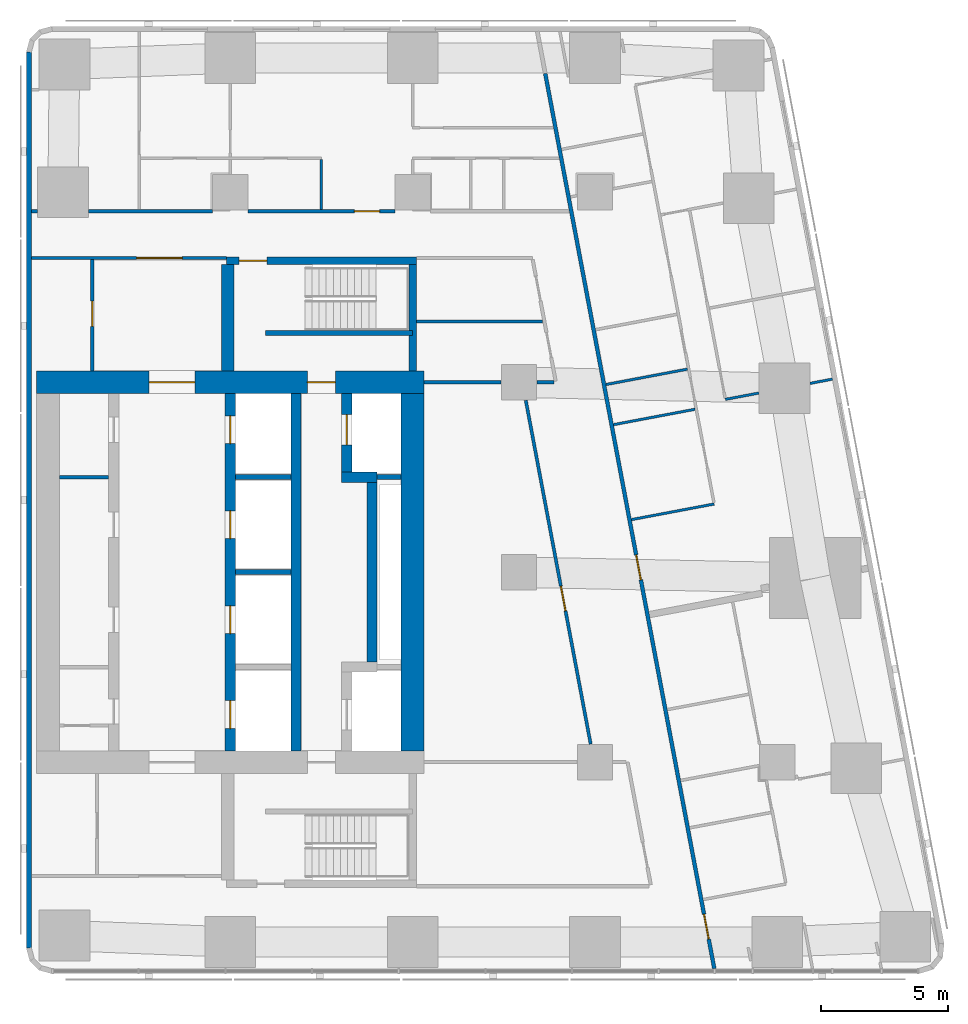
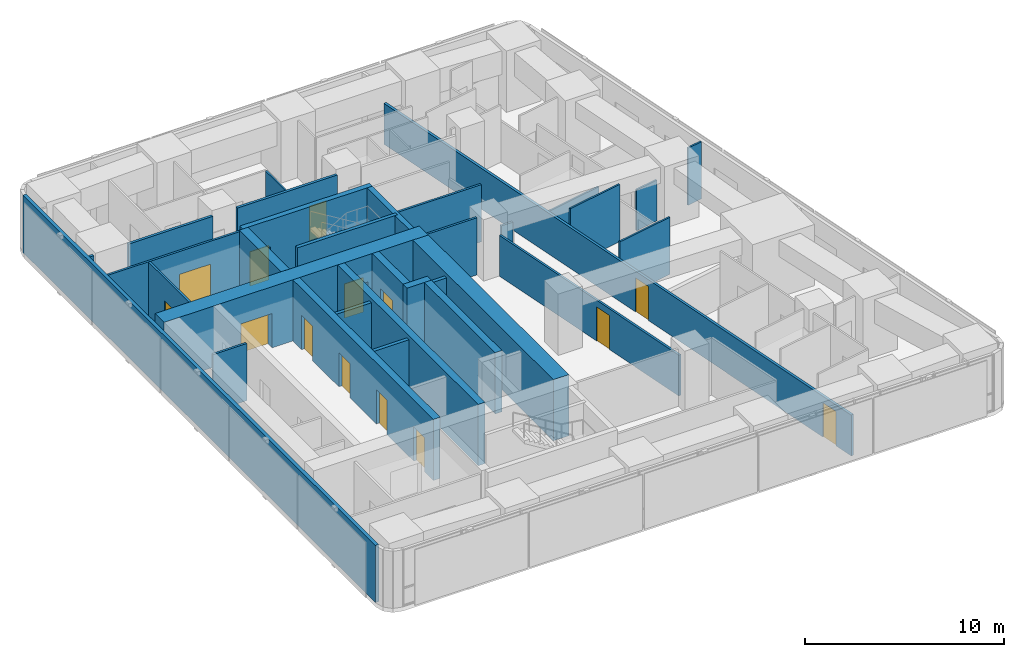
# One storey, part 6 of 10: 32 walls, 14 doors, 14 openings.
"""IFC4 building model written with IfcOpenShell, lengths in metres."""

from ifc_helpers import new_model, si_unit, direction, frame, frame_2d, origin, place, context, subcontext, project, spatial, rectangle, extrude, material, layer, layer_set, type_object, element, fill, save


model = new_model("IFC4")

# Units and contexts
model_context = context("Model", 3, precision=1e-05, world=origin(), true_north=direction((0.0, 1.0)))
body_context = subcontext(model_context, "Body", "Model", "MODEL_VIEW")
ifc_project = project(units=[si_unit("LENGTHUNIT", "METRE"), si_unit("AREAUNIT", "SQUARE_METRE"), si_unit("VOLUMEUNIT", "CUBIC_METRE"), si_unit("PLANEANGLEUNIT", "RADIAN"), si_unit("MASSUNIT", "GRAM", prefix="KILO")], contexts=[model_context])

# Site, building, storey
site_placement = place(None, origin())
site = spatial("IfcSite", under=ifc_project, at=site_placement, CompositionType="ELEMENT")
building_placement = place(site_placement, origin())
building = spatial("IfcBuilding", under=site, at=building_placement, Name="Sheger Commons Tower", CompositionType="ELEMENT")
storey_placement = place(building_placement, frame((0.0, 0.0, 285.35009765625)))
storey = spatial("IfcBuildingStorey", under=building, at=storey_placement, Name="L73", CompositionType="ELEMENT", Elevation=285.35009765625)

# Wall, openings, doors
ifc_material_1 = material(Name="Concrete C50/60", Category="concrete")
ifc_layer_1 = layer(ifc_material_1, 0.39990234375)
ifc_layer_set_1 = layer_set([ifc_layer_1], Name="CORE INNER WALL 400")
wall_type_1 = type_object("IfcWallType", Name="CORE INNER WALL 400", PredefinedType="SHEAR", material=ifc_layer_set_1)
wall_1_placement = place(storey_placement, frame((21.60009765625, 15.449951171875, 0.0), z_axis=(0.0, 0.0, 1.0), x_axis=(0.0, 1.0, 0.0)))
wall_1 = element("IfcWall", 1, at=wall_1_placement, inside=storey, type_object=wall_type_1, Name="Core inner wall L L73", PredefinedType="SHEAR", context=body_context, shape_type="SweptSolid", body=[
    extrude(rectangle(XDim=14.10009765625, YDim=0.39990234375, at=frame_2d((7.050048828125, 0.0))), origin(), (0.0, 0.0, 1.0), 3.75),
])
opening_1_placement = place(wall_1_placement, frame((0.875, 0.0, 0.0)))
opening_1 = element("IfcOpeningElement", 2, at=opening_1_placement, cuts=wall_1, Name="Opening LD", PredefinedType="OPENING", context=body_context, shape_type="SweptSolid", body=[
    extrude(rectangle(XDim=1.10009765625, YDim=2.10009765625, at=frame_2d((0.550048828125, 1.050048828125))), frame((0.0, 0.2099609375, 0.0), z_axis=(0.0, -1.0, 0.0), x_axis=(1.0, 0.0, 0.0)), (0.0, 0.0, 1.0), 0.419921875),
])
opening_2_placement = place(wall_1_placement, frame((4.625, 0.0, 0.0)))
opening_2 = element("IfcOpeningElement", 3, at=opening_2_placement, cuts=wall_1, Name="Opening LD", PredefinedType="OPENING", context=body_context, shape_type="SweptSolid", body=[
    extrude(rectangle(XDim=1.10009765625, YDim=2.10009765625, at=frame_2d((0.550048828125, 1.050048828125))), frame((0.0, 0.2099609375, 0.0), z_axis=(0.0, -1.0, 0.0), x_axis=(1.0, 0.0, 0.0)), (0.0, 0.0, 1.0), 0.419921875),
])
opening_3_placement = place(wall_1_placement, frame((8.375, 0.0, 0.0)))
opening_3 = element("IfcOpeningElement", 4, at=opening_3_placement, cuts=wall_1, Name="Opening LD", PredefinedType="OPENING", context=body_context, shape_type="SweptSolid", body=[
    extrude(rectangle(XDim=1.10009765625, YDim=2.10009765625, at=frame_2d((0.550048828125, 1.050048828125))), frame((0.0, 0.2099609375, 0.0), z_axis=(0.0, -1.0, 0.0), x_axis=(1.0, 0.0, 0.0)), (0.0, 0.0, 1.0), 0.419921875),
])
opening_4_placement = place(wall_1_placement, frame((12.125, 0.0, 0.0)))
opening_4 = element("IfcOpeningElement", 5, at=opening_4_placement, cuts=wall_1, Name="Opening LD", PredefinedType="OPENING", context=body_context, shape_type="SweptSolid", body=[
    extrude(rectangle(XDim=1.10009765625, YDim=2.10009765625, at=frame_2d((0.550048828125, 1.050048828125))), frame((0.0, 0.2099609375, 0.0), z_axis=(0.0, -1.0, 0.0), x_axis=(1.0, 0.0, 0.0)), (0.0, 0.0, 1.0), 0.419921875),
])
ifc_material_2 = material(Name="Steel door set, fire rated", Category="steel")
door_type_1 = type_object("IfcDoorType", Name="LIFT LANDING DOOR 1100x2100", OperationType="DOUBLE_DOOR_SLIDING", PredefinedType="DOOR", material=ifc_material_2)
door_1_placement = place(opening_1_placement, origin())
door_1 = element("IfcDoor", 6, at=door_1_placement, inside=storey, type_object=door_type_1, Name="Lift LB1 landing door", OperationType="DOUBLE_DOOR_SLIDING", OverallHeight=2.10009765625, OverallWidth=1.10009765625, PredefinedType="DOOR", context=body_context, shape_type="SweptSolid", body=[
    extrude(rectangle(XDim=1.10009765625, YDim=2.10009765625, at=frame_2d((0.550048828125, 1.050048828125))), frame((0.0, 0.02490234375, 0.0), z_axis=(0.0, -1.0, 0.0), x_axis=(1.0, 0.0, 0.0)), (0.0, 0.0, 1.0), 0.050048828125),
])
fill(opening_1, door_1)
door_2_placement = place(opening_2_placement, origin())
door_2 = element("IfcDoor", 7, at=door_2_placement, inside=storey, type_object=door_type_1, Name="Lift LB2 landing door", OperationType="DOUBLE_DOOR_SLIDING", OverallHeight=2.10009765625, OverallWidth=1.10009765625, PredefinedType="DOOR", context=body_context, shape_type="SweptSolid", body=[
    extrude(rectangle(XDim=1.10009765625, YDim=2.10009765625, at=frame_2d((0.550048828125, 1.050048828125))), frame((0.0, 0.02490234375, 0.0), z_axis=(0.0, -1.0, 0.0), x_axis=(1.0, 0.0, 0.0)), (0.0, 0.0, 1.0), 0.050048828125),
])
fill(opening_2, door_2)
door_3_placement = place(opening_3_placement, origin())
door_3 = element("IfcDoor", 8, at=door_3_placement, inside=storey, type_object=door_type_1, Name="Lift LB3 landing door", OperationType="DOUBLE_DOOR_SLIDING", OverallHeight=2.10009765625, OverallWidth=1.10009765625, PredefinedType="DOOR", context=body_context, shape_type="SweptSolid", body=[
    extrude(rectangle(XDim=1.10009765625, YDim=2.10009765625, at=frame_2d((0.550048828125, 1.050048828125))), frame((0.0, 0.02490234375, 0.0), z_axis=(0.0, -1.0, 0.0), x_axis=(1.0, 0.0, 0.0)), (0.0, 0.0, 1.0), 0.050048828125),
])
fill(opening_3, door_3)
door_4_placement = place(opening_4_placement, origin())
door_4 = element("IfcDoor", 9, at=door_4_placement, inside=storey, type_object=door_type_1, Name="Lift LB4 landing door", OperationType="DOUBLE_DOOR_SLIDING", OverallHeight=2.10009765625, OverallWidth=1.10009765625, PredefinedType="DOOR", context=body_context, shape_type="SweptSolid", body=[
    extrude(rectangle(XDim=1.10009765625, YDim=2.10009765625, at=frame_2d((0.550048828125, 1.050048828125))), frame((0.0, 0.02490234375, 0.0), z_axis=(0.0, -1.0, 0.0), x_axis=(1.0, 0.0, 0.0)), (0.0, 0.0, 1.0), 0.050048828125),
])
fill(opening_4, door_4)

# Walls
wall_2_placement = place(storey_placement, frame((24.199951171875, 15.449951171875, 0.0), z_axis=(0.0, 0.0, 1.0), x_axis=(0.0, 1.0, 0.0)))
element("IfcWall", 10, at=wall_2_placement, inside=storey, type_object=wall_type_1, Name="Core inner wall B L73", PredefinedType="SHEAR", context=body_context, shape_type="SweptSolid", body=[
    extrude(rectangle(XDim=14.10009765625, YDim=0.39990234375, at=frame_2d((7.050048828125, 0.0))), origin(), (0.0, 0.0, 1.0), 3.75),
])
wall_3_placement = place(storey_placement, frame((27.199951171875, 18.949951171875, 0.0), z_axis=(0.0, 0.0, 1.0), x_axis=(0.0, 1.0, 0.0)))
element("IfcWall", 11, at=wall_3_placement, inside=storey, type_object=wall_type_1, Name="Core inner wall F middle L73", PredefinedType="SHEAR", context=body_context, shape_type="SweptSolid", body=[
    extrude(rectangle(XDim=7.10009765625, YDim=0.39990234375, at=frame_2d((3.550048828125, 0.0))), origin(), (0.0, 0.0, 1.0), 3.75),
])
wall_4_placement = place(storey_placement, frame((26.0, 26.25, 0.0), z_axis=(0.0, 0.0, 1.0), x_axis=(1.0, 0.0, 0.0)))
element("IfcWall", 12, at=wall_4_placement, inside=storey, type_object=wall_type_1, Name="Core inner wall F north return L73", PredefinedType="SHEAR", context=body_context, shape_type="SweptSolid", body=[
    extrude(rectangle(XDim=1.39990234375, YDim=0.39990234375, at=frame_2d((0.699951171875, 0.0))), origin(), (0.0, 0.0, 1.0), 3.75),
])

# Wall, opening, door
wall_5_placement = place(storey_placement, frame((26.199951171875, 26.449951171875, 0.0), z_axis=(0.0, 0.0, 1.0), x_axis=(0.0, 1.0, 0.0)))
wall_5 = element("IfcWall", 13, at=wall_5_placement, inside=storey, type_object=wall_type_1, Name="Core inner wall F north L73", PredefinedType="SHEAR", context=body_context, shape_type="SweptSolid", body=[
    extrude(rectangle(XDim=3.10009765625, YDim=0.39990234375, at=frame_2d((1.550048828125, 0.0))), origin(), (0.0, 0.0, 1.0), 3.75),
])
opening_5_placement = place(wall_5_placement, frame((1.074951171875, 0.0, 0.0)))
opening_5 = element("IfcOpeningElement", 14, at=opening_5_placement, cuts=wall_5, Name="Opening LD2", PredefinedType="OPENING", context=body_context, shape_type="SweptSolid", body=[
    extrude(rectangle(XDim=1.199951171875, YDim=2.10009765625, at=frame_2d((0.60009765625, 1.050048828125))), frame((0.0, 0.2099609375, 0.0), z_axis=(0.0, -1.0, 0.0), x_axis=(1.0, 0.0, 0.0)), (0.0, 0.0, 1.0), 0.419921875),
])
ifc_material_3 = material(Name="Steel door set, fire rated", Category="steel")
door_type_2 = type_object("IfcDoorType", Name="FIREFIGHTING LIFT LANDING DOOR 1200x2100", OperationType="DOUBLE_DOOR_SLIDING", PredefinedType="DOOR", material=ifc_material_3)
door_5_placement = place(opening_5_placement, origin())
door_5 = element("IfcDoor", 15, at=door_5_placement, inside=storey, type_object=door_type_2, Name="Lift FL2 landing door", OperationType="DOUBLE_DOOR_SLIDING", OverallHeight=2.10009765625, OverallWidth=1.199951171875, PredefinedType="DOOR", context=body_context, shape_type="SweptSolid", body=[
    extrude(rectangle(XDim=1.199951171875, YDim=2.10009765625, at=frame_2d((0.60009765625, 1.050048828125))), frame((0.0, 0.02490234375, 0.0), z_axis=(0.0, -1.0, 0.0), x_axis=(1.0, 0.0, 0.0)), (0.0, 0.0, 1.0), 0.050048828125),
])
fill(opening_5, door_5)

# Wall, openings, doors
ifc_material_4 = material(Name="Concrete C50/60", Category="concrete")
ifc_layer_2 = layer(ifc_material_4, 0.89990234375)
ifc_layer_set_2 = layer_set([ifc_layer_2], Name="CORE WALL 900")
wall_type_2 = type_object("IfcWallType", Name="CORE WALL 900", PredefinedType="SHEAR", material=ifc_layer_set_2)
wall_6_placement = place(storey_placement, frame((13.949951171875, 30.0, 0.0), z_axis=(0.0, 0.0, 1.0), x_axis=(1.0, 0.0, 0.0)))
wall_6 = element("IfcWall", 16, at=wall_6_placement, inside=storey, type_object=wall_type_2, Name="Core wall north L73", PredefinedType="SHEAR", context=body_context, shape_type="SweptSolid", body=[
    extrude(rectangle(XDim=15.300048828125, YDim=0.89990234375, at=frame_2d((7.64990234375, 0.0))), origin(), (0.0, 0.0, 1.0), 3.75),
])
opening_6_placement = place(wall_6_placement, frame((4.449951171875, 0.0, 0.0)))
opening_6 = element("IfcOpeningElement", 17, at=opening_6_placement, cuts=wall_6, Name="Opening D6", PredefinedType="OPENING", context=body_context, shape_type="SweptSolid", body=[
    extrude(rectangle(XDim=1.800048828125, YDim=2.10009765625, at=frame_2d((0.89990234375, 1.050048828125))), frame((0.0, 0.4599609375, 0.0), z_axis=(0.0, -1.0, 0.0), x_axis=(1.0, 0.0, 0.0)), (0.0, 0.0, 1.0), 0.919921875),
])
opening_7_placement = place(wall_6_placement, frame((10.699951171875, 0.0, 0.0)))
opening_7 = element("IfcOpeningElement", 18, at=opening_7_placement, cuts=wall_6, Name="Opening D5", PredefinedType="OPENING", context=body_context, shape_type="SweptSolid", body=[
    extrude(rectangle(XDim=1.10009765625, YDim=2.10009765625, at=frame_2d((0.550048828125, 1.050048828125))), frame((0.0, 0.4599609375, 0.0), z_axis=(0.0, -1.0, 0.0), x_axis=(1.0, 0.0, 0.0)), (0.0, 0.0, 1.0), 0.919921875),
])
ifc_material_5 = material(Name="Steel door set, fire rated", Category="steel")
door_type_3 = type_object("IfcDoorType", Name="LOBBY DOUBLE DOOR 1800x2100", OperationType="DOUBLE_DOOR_SINGLE_SWING", PredefinedType="DOOR", material=ifc_material_5)
door_6_placement = place(opening_6_placement, origin())
door_6 = element("IfcDoor", 19, at=door_6_placement, inside=storey, type_object=door_type_3, Name="Lift lobby door", OperationType="DOUBLE_DOOR_SINGLE_SWING", OverallHeight=2.10009765625, OverallWidth=1.800048828125, PredefinedType="DOOR", context=body_context, shape_type="SweptSolid", body=[
    extrude(rectangle(XDim=1.800048828125, YDim=2.10009765625, at=frame_2d((0.89990234375, 1.050048828125))), frame((0.0, 0.02490234375, 0.0), z_axis=(0.0, -1.0, 0.0), x_axis=(1.0, 0.0, 0.0)), (0.0, 0.0, 1.0), 0.050048828125),
])
fill(opening_6, door_6)
ifc_material_6 = material(Name="Steel door set, fire rated", Category="steel")
door_type_4 = type_object("IfcDoorType", Name="STAIR DOOR 1100x2100", OperationType="NOTDEFINED", PredefinedType="DOOR", material=ifc_material_6)
door_7_placement = place(opening_7_placement, origin())
door_7 = element("IfcDoor", 20, at=door_7_placement, inside=storey, type_object=door_type_4, Name="Fire-fighting lobby door", OperationType="SINGLE_SWING_RIGHT", OverallHeight=2.10009765625, OverallWidth=1.10009765625, PredefinedType="DOOR", context=body_context, shape_type="SweptSolid", body=[
    extrude(rectangle(XDim=1.10009765625, YDim=2.10009765625, at=frame_2d((0.550048828125, 1.050048828125))), frame((0.0, 0.02490234375, 0.0), z_axis=(0.0, -1.0, 0.0), x_axis=(1.0, 0.0, 0.0)), (0.0, 0.0, 1.0), 0.050048828125),
])
fill(opening_7, door_7)

# Walls
wall_7_placement = place(storey_placement, frame((28.800048828125, 15.449951171875, 0.0), z_axis=(0.0, 0.0, 1.0), x_axis=(0.0, 1.0, 0.0)))
element("IfcWall", 21, at=wall_7_placement, inside=storey, type_object=wall_type_2, Name="Core wall east L73", PredefinedType="SHEAR", context=body_context, shape_type="SweptSolid", body=[
    extrude(rectangle(XDim=14.10009765625, YDim=0.89990234375, at=frame_2d((7.050048828125, 0.0))), origin(), (0.0, 0.0, 1.0), 3.75),
])
ifc_material_7 = material(Name="Hollow concrete block masonry, skimmed both sides", Category="masonry")
ifc_layer_3 = layer(ifc_material_7, 0.14990234375)
ifc_layer_set_3 = layer_set([ifc_layer_3], Name="CORRIDOR WALL 150")
wall_type_3 = type_object("IfcWallType", Name="CORRIDOR WALL 150", PredefinedType="SOLIDWALL", material=ifc_layer_set_3)
wall_8_placement = place(storey_placement, frame((13.75, 36.75, 0.0), z_axis=(0.0, 0.0, 1.0), x_axis=(1.0, 0.0, 0.0)))
element("IfcWall", 22, at=wall_8_placement, inside=storey, type_object=wall_type_3, Name="Corridor wall L73", PredefinedType="SOLIDWALL", context=body_context, shape_type="SweptSolid", body=[
    extrude(rectangle(XDim=0.2490234375, YDim=0.14990234375, at=frame_2d((0.12451171875, 0.0))), origin(), (0.0, 0.0, 1.0), 3.5),
])
wall_9_placement = place(storey_placement, frame((16.0009765625, 36.75, 0.0), z_axis=(0.0, 0.0, 1.0), x_axis=(1.0, 0.0, 0.0)))
element("IfcWall", 23, at=wall_9_placement, inside=storey, type_object=wall_type_3, Name="Corridor wall L73", PredefinedType="SOLIDWALL", context=body_context, shape_type="SweptSolid", body=[
    extrude(rectangle(XDim=4.89794921875, YDim=0.14990234375, at=frame_2d((2.448974609375, 0.0))), origin(), (0.0, 0.0, 1.0), 3.5),
])

# Wall, opening, door
wall_10_placement = place(storey_placement, frame((22.301025390625, 36.75, 0.0), z_axis=(0.0, 0.0, 1.0), x_axis=(1.0, 0.0, 0.0)))
wall_10 = element("IfcWall", 24, at=wall_10_placement, inside=storey, type_object=wall_type_3, Name="Corridor wall L73", PredefinedType="SOLIDWALL", context=body_context, shape_type="SweptSolid", body=[
    extrude(rectangle(XDim=5.798095703125, YDim=0.14990234375, at=frame_2d((2.89892578125, 0.0))), origin(), (0.0, 0.0, 1.0), 3.5),
])
opening_8_placement = place(wall_10_placement, frame((4.198974609375, 0.0, 0.0)))
opening_8 = element("IfcOpeningElement", 25, at=opening_8_placement, cuts=wall_10, Name="Opening D1", PredefinedType="OPENING", context=body_context, shape_type="SweptSolid", body=[
    extrude(rectangle(XDim=1.0, YDim=2.10009765625, at=frame_2d((0.5, 1.050048828125))), frame((0.0, 0.0849609375, 0.0), z_axis=(0.0, -1.0, 0.0), x_axis=(1.0, 0.0, 0.0)), (0.0, 0.0, 1.0), 0.169921875),
])
ifc_material_8 = material(Name="Steel door set, fire rated", Category="steel")
door_type_5 = type_object("IfcDoorType", Name="FLAT ENTRANCE DOOR 1000x2100", OperationType="NOTDEFINED", PredefinedType="DOOR", material=ifc_material_8)
door_8_placement = place(opening_8_placement, origin())
door_8 = element("IfcDoor", 26, at=door_8_placement, inside=storey, type_object=door_type_5, Name="Flat entrance door", OperationType="SINGLE_SWING_RIGHT", OverallHeight=2.10009765625, OverallWidth=1.0, PredefinedType="DOOR", context=body_context, shape_type="SweptSolid", body=[
    extrude(rectangle(XDim=1.0, YDim=2.10009765625, at=frame_2d((0.5, 1.050048828125))), frame((0.0, 0.02490234375, 0.0), z_axis=(0.0, -1.0, 0.0), x_axis=(1.0, 0.0, 0.0)), (0.0, 0.0, 1.0), 0.050048828125),
])
fill(opening_8, door_8)

# Wall, openings, doors
wall_11_placement = place(storey_placement, frame((34.035888671875, 42.18603515625, 0.0), z_axis=(0.0, 0.0, 1.0), x_axis=(0.185593518645, -0.9826266055, 0.0)))
wall_11 = element("IfcWall", 27, at=wall_11_placement, inside=storey, type_object=wall_type_3, Name="Corridor wall L73", PredefinedType="SOLIDWALL", context=body_context, shape_type="SweptSolid", body=[
    extrude(rectangle(XDim=35.960693359375, YDim=0.14990234375, at=frame_2d((17.98046875, 0.0))), origin(), (0.0, 0.0, 1.0), 2.5),
])
opening_9_placement = place(wall_11_placement, frame((19.344970703125, 0.0, 0.0)))
opening_9 = element("IfcOpeningElement", 28, at=opening_9_placement, cuts=wall_11, Name="Opening D1", PredefinedType="OPENING", context=body_context, shape_type="SweptSolid", body=[
    extrude(rectangle(XDim=1.0, YDim=2.10009765625, at=frame_2d((0.5, 1.050048828125))), frame((0.0, 0.0849609375, 0.0), z_axis=(0.0, -1.0, 0.0), x_axis=(1.0, 0.0, 0.0)), (0.0, 0.0, 1.0), 0.169921875),
])
opening_10_placement = place(wall_11_placement, frame((33.77392578125, 0.0, 0.0)))
opening_10 = element("IfcOpeningElement", 29, at=opening_10_placement, cuts=wall_11, Name="Opening D1", PredefinedType="OPENING", context=body_context, shape_type="SweptSolid", body=[
    extrude(rectangle(XDim=1.0, YDim=2.10009765625, at=frame_2d((0.5, 1.050048828125))), frame((0.0, 0.0849609375, 0.0), z_axis=(0.0, -1.0, 0.0), x_axis=(1.0, 0.0, 0.0)), (0.0, 0.0, 1.0), 0.169921875),
])
door_9_placement = place(opening_9_placement, origin())
door_9 = element("IfcDoor", 30, at=door_9_placement, inside=storey, type_object=door_type_5, Name="Flat entrance door", OperationType="SINGLE_SWING_LEFT", OverallHeight=2.10009765625, OverallWidth=1.0, PredefinedType="DOOR", context=body_context, shape_type="SweptSolid", body=[
    extrude(rectangle(XDim=1.0, YDim=2.10009765625, at=frame_2d((0.5, 1.050048828125))), frame((0.0, 0.02490234375, 0.0), z_axis=(0.0, -1.0, 0.0), x_axis=(1.0, 0.0, 0.0)), (0.0, 0.0, 1.0), 0.050048828125),
])
fill(opening_9, door_9)
door_10_placement = place(opening_10_placement, origin())
door_10 = element("IfcDoor", 31, at=door_10_placement, inside=storey, type_object=door_type_5, Name="Flat entrance door", OperationType="SINGLE_SWING_LEFT", OverallHeight=2.10009765625, OverallWidth=1.0, PredefinedType="DOOR", context=body_context, shape_type="SweptSolid", body=[
    extrude(rectangle(XDim=1.0, YDim=2.10009765625, at=frame_2d((0.5, 1.050048828125))), frame((0.0, 0.02490234375, 0.0), z_axis=(0.0, -1.0, 0.0), x_axis=(1.0, 0.0, 0.0)), (0.0, 0.0, 1.0), 0.050048828125),
])
fill(opening_10, door_10)

# Walls
ifc_material_9 = material(Name="Rendered concrete block masonry, dark grey", Category="masonry")
ifc_layer_4 = layer(ifc_material_9, 0.199951171875)
ifc_layer_set_4 = layer_set([ifc_layer_4], Name="FACADE WALL 200")
wall_type_4 = type_object("IfcWallType", Name="FACADE WALL 200", PredefinedType="SOLIDWALL", material=ifc_layer_set_4)
wall_12_placement = place(storey_placement, frame((13.64990234375, 43.037109375, 0.0), z_axis=(0.0, 0.0, 1.0), x_axis=(0.0, -1.0, 0.0)))
element("IfcWall", 32, at=wall_12_placement, inside=storey, type_object=wall_type_4, Name="Facade wall L73", PredefinedType="SOLIDWALL", context=body_context, shape_type="SweptSolid", body=[
    extrude(rectangle(XDim=35.3740234375, YDim=0.199951171875, at=frame_2d((17.68701171875, 0.0))), origin(), (0.0, 0.0, 1.0), 3.5),
])
ifc_material_10 = material(Name="Gypsum board on steel studs", Category="steel")
ifc_layer_5 = layer(ifc_material_10, 0.10009765625)
ifc_layer_set_5 = layer_set([ifc_layer_5], Name="PARTITION 100")
wall_type_5 = type_object("IfcWallType", Name="PARTITION 100", PredefinedType="PARTITIONING", material=ifc_layer_set_5)
wall_13_placement = place(storey_placement, frame((45.3720703125, 30.12109375, 0.0), z_axis=(0.0, 0.0, 1.0), x_axis=(-0.982547416156, -0.186012297994, 0.0)))
element("IfcWall", 33, at=wall_13_placement, inside=storey, type_object=wall_type_5, Name="Partition L73", PredefinedType="PARTITIONING", context=body_context, shape_type="SweptSolid", body=[
    extrude(rectangle(XDim=0.897705078125, YDim=0.10009765625, at=frame_2d((0.44873046875, 0.0))), origin(), (0.0, 0.0, 1.0), 3.5),
])
wall_14_placement = place(storey_placement, frame((42.469970703125, 29.572021484375, 0.0), z_axis=(0.0, 0.0, 1.0), x_axis=(-0.982610503289, -0.185678751683, 0.0)))
element("IfcWall", 34, at=wall_14_placement, inside=storey, type_object=wall_type_5, Name="Partition L73", PredefinedType="PARTITIONING", context=body_context, shape_type="SweptSolid", body=[
    extrude(rectangle(XDim=1.346435546875, YDim=0.10009765625, at=frame_2d((0.67333984375, 0.0))), origin(), (0.0, 0.0, 1.0), 2.5),
])
wall_15_placement = place(storey_placement, frame((39.947998046875, 28.931884765625, 0.0), z_axis=(0.0, 0.0, 1.0), x_axis=(-0.982610347627, -0.185679575441, 0.0)))
element("IfcWall", 35, at=wall_15_placement, inside=storey, type_object=wall_type_5, Name="Partition L73", PredefinedType="PARTITIONING", context=body_context, shape_type="SweptSolid", body=[
    extrude(rectangle(XDim=3.27392578125, YDim=0.10009765625, at=frame_2d((1.636962890625, 0.0))), origin(), (0.0, 0.0, 1.0), 3.5),
])
wall_16_placement = place(storey_placement, frame((40.7060546875, 25.19189453125, 0.0), z_axis=(0.0, 0.0, 1.0), x_axis=(-0.982633623707, -0.185556356831, 0.0)))
element("IfcWall", 36, at=wall_16_placement, inside=storey, type_object=wall_type_5, Name="Partition L73", PredefinedType="PARTITIONING", context=body_context, shape_type="SweptSolid", body=[
    extrude(rectangle(XDim=3.324951171875, YDim=0.10009765625, at=frame_2d((1.66259765625, 0.0))), origin(), (0.0, 0.0, 1.0), 3.5),
])
wall_17_placement = place(storey_placement, frame((39.64892578125, 30.514892578125, 0.0), z_axis=(0.0, 0.0, 1.0), x_axis=(-0.982610347627, -0.185679575441, 0.0)))
element("IfcWall", 37, at=wall_17_placement, inside=storey, type_object=wall_type_5, Name="Partition L73", PredefinedType="PARTITIONING", context=body_context, shape_type="SweptSolid", body=[
    extrude(rectangle(XDim=3.27392578125, YDim=0.10009765625, at=frame_2d((1.636962890625, 0.0))), origin(), (0.0, 0.0, 1.0), 2.5),
])
wall_18_placement = place(storey_placement, frame((25.199951171875, 36.824951171875, 0.0), z_axis=(0.0, 0.0, 1.0), x_axis=(0.0, 1.0, 0.0)))
element("IfcWall", 38, at=wall_18_placement, inside=storey, type_object=wall_type_5, Name="Partition L73", PredefinedType="PARTITIONING", context=body_context, shape_type="SweptSolid", body=[
    extrude(rectangle(XDim=1.97509765625, YDim=0.10009765625, at=frame_2d((0.987548828125, 0.0))), origin(), (0.0, 0.0, 1.0), 3.5),
])

# Wall, opening, door
ifc_material_11 = material(Name="Gypsum board on steel studs, two layers each side, fire rated", Category="steel")
ifc_layer_6 = layer(ifc_material_11, 0.125)
ifc_layer_set_6 = layer_set([ifc_layer_6], Name="SERVICE WALL 125")
wall_type_6 = type_object("IfcWallType", Name="SERVICE WALL 125", PredefinedType="PARTITIONING", material=ifc_layer_set_6)
wall_19_placement = place(storey_placement, frame((13.75, 34.89990234375, 0.0), z_axis=(0.0, 0.0, 1.0), x_axis=(1.0, 0.0, 0.0)))
wall_19 = element("IfcWall", 39, at=wall_19_placement, inside=storey, type_object=wall_type_6, Name="Service room wall L73", PredefinedType="PARTITIONING", context=body_context, shape_type="SweptSolid", body=[
    extrude(rectangle(XDim=7.699951171875, YDim=0.125, at=frame_2d((3.85009765625, 0.0))), origin(), (0.0, 0.0, 1.0), 3.5),
])
opening_11_placement = place(wall_19_placement, frame((4.14990234375, 0.0, 0.0)))
opening_11 = element("IfcOpeningElement", 40, at=opening_11_placement, cuts=wall_19, Name="Opening D6", PredefinedType="OPENING", context=body_context, shape_type="SweptSolid", body=[
    extrude(rectangle(XDim=1.800048828125, YDim=2.10009765625, at=frame_2d((0.89990234375, 1.050048828125))), frame((0.0, 0.072509765625, 0.0), z_axis=(0.0, -1.0, 0.0), x_axis=(1.0, 0.0, 0.0)), (0.0, 0.0, 1.0), 0.14501953125),
])
door_11_placement = place(opening_11_placement, origin())
door_11 = element("IfcDoor", 41, at=door_11_placement, inside=storey, type_object=door_type_3, Name="Lift lobby north door", OperationType="DOUBLE_DOOR_SINGLE_SWING", OverallHeight=2.10009765625, OverallWidth=1.800048828125, PredefinedType="DOOR", context=body_context, shape_type="SweptSolid", body=[
    extrude(rectangle(XDim=1.800048828125, YDim=2.10009765625, at=frame_2d((0.89990234375, 1.050048828125))), frame((0.0, 0.02490234375, 0.0), z_axis=(0.0, -1.0, 0.0), x_axis=(1.0, 0.0, 0.0)), (0.0, 0.0, 1.0), 0.050048828125),
])
fill(opening_11, door_11)

wall_20_placement = place(storey_placement, frame((16.14990234375, 30.449951171875, 0.0), z_axis=(0.0, 0.0, 1.0), x_axis=(0.0, 1.0, 0.0)))
wall_20 = element("IfcWall", 42, at=wall_20_placement, inside=storey, type_object=wall_type_6, Name="Service room wall L73", PredefinedType="PARTITIONING", context=body_context, shape_type="SweptSolid", body=[
    extrude(rectangle(XDim=4.386962890625, YDim=0.125, at=frame_2d((2.193359375, 0.0))), origin(), (0.0, 0.0, 1.0), 3.5),
])
opening_12_placement = place(wall_20_placement, frame((1.75, 0.0, 0.0)))
opening_12 = element("IfcOpeningElement", 43, at=opening_12_placement, cuts=wall_20, Name="Opening D4", PredefinedType="OPENING", context=body_context, shape_type="SweptSolid", body=[
    extrude(rectangle(XDim=1.0, YDim=2.10009765625, at=frame_2d((0.5, 1.050048828125))), frame((0.0, 0.072509765625, 0.0), z_axis=(0.0, -1.0, 0.0), x_axis=(1.0, 0.0, 0.0)), (0.0, 0.0, 1.0), 0.14501953125),
])
ifc_material_12 = material(Name="Steel door set, fire rated", Category="steel")
door_type_6 = type_object("IfcDoorType", Name="SERVICE DOOR 1000x2100", OperationType="NOTDEFINED", PredefinedType="DOOR", material=ifc_material_12)
door_12_placement = place(opening_12_placement, origin())
door_12 = element("IfcDoor", 44, at=door_12_placement, inside=storey, type_object=door_type_6, Name="Telecom room door", OperationType="SINGLE_SWING_RIGHT", OverallHeight=2.10009765625, OverallWidth=1.0, PredefinedType="DOOR", context=body_context, shape_type="SweptSolid", body=[
    extrude(rectangle(XDim=1.0, YDim=2.10009765625, at=frame_2d((0.5, 1.050048828125))), frame((0.0, 0.02490234375, 0.0), z_axis=(0.0, -1.0, 0.0), x_axis=(1.0, 0.0, 0.0)), (0.0, 0.0, 1.0), 0.050048828125),
])
fill(opening_12, door_12)

wall_21_placement = place(storey_placement, frame((35.830078125, 15.712890625, 0.0), z_axis=(0.0, 0.0, 1.0), x_axis=(-0.185534724166, 0.982637708481, 0.0)))
wall_21 = element("IfcWall", 45, at=wall_21_placement, inside=storey, type_object=wall_type_6, Name="Service room wall L73", PredefinedType="PARTITIONING", context=body_context, shape_type="SweptSolid", body=[
    extrude(rectangle(XDim=13.81396484375, YDim=0.125, at=frame_2d((6.906982421875, 0.0))), origin(), (0.0, 0.0, 1.0), 2.5),
])
opening_13_placement = place(wall_21_placement, frame((5.35009765625, 0.0, 0.0)))
opening_13 = element("IfcOpeningElement", 46, at=opening_13_placement, cuts=wall_21, Name="Opening D4", PredefinedType="OPENING", context=body_context, shape_type="SweptSolid", body=[
    extrude(rectangle(XDim=1.0, YDim=2.10009765625, at=frame_2d((0.5, 1.050048828125))), frame((0.0, 0.072509765625, 0.0), z_axis=(0.0, -1.0, 0.0), x_axis=(1.0, 0.0, 0.0)), (0.0, 0.0, 1.0), 0.14501953125),
])
door_13_placement = place(opening_13_placement, origin())
door_13 = element("IfcDoor", 47, at=door_13_placement, inside=storey, type_object=door_type_6, Name="Residents' gym door", OperationType="SINGLE_SWING_LEFT", OverallHeight=2.10009765625, OverallWidth=1.0, PredefinedType="DOOR", context=body_context, shape_type="SweptSolid", body=[
    extrude(rectangle(XDim=1.0, YDim=2.10009765625, at=frame_2d((0.5, 1.050048828125))), frame((0.0, 0.02490234375, 0.0), z_axis=(0.0, -1.0, 0.0), x_axis=(1.0, 0.0, 0.0)), (0.0, 0.0, 1.0), 0.050048828125),
])
fill(opening_13, door_13)

# Walls
wall_22_placement = place(storey_placement, frame((29.25, 30.0, 0.0), z_axis=(0.0, 0.0, 1.0), x_axis=(1.0, 0.0, 0.0)))
element("IfcWall", 48, at=wall_22_placement, inside=storey, type_object=wall_type_6, Name="Service room wall L73", PredefinedType="PARTITIONING", context=body_context, shape_type="SweptSolid", body=[
    extrude(rectangle(XDim=3.049072265625, YDim=0.125, at=frame_2d((1.5244140625, 0.0))), origin(), (0.0, 0.0, 1.0), 3.5),
])
wall_23_placement = place(storey_placement, frame((33.700927734375, 30.0, 0.0), z_axis=(0.0, 0.0, 1.0), x_axis=(1.0, 0.0, 0.0)))
element("IfcWall", 49, at=wall_23_placement, inside=storey, type_object=wall_type_6, Name="Service room wall L73", PredefinedType="PARTITIONING", context=body_context, shape_type="SweptSolid", body=[
    extrude(rectangle(XDim=0.678955078125, YDim=0.125, at=frame_2d((0.33935546875, 0.0))), origin(), (0.0, 0.0, 1.0), 2.5),
])
wall_24_placement = place(storey_placement, frame((28.949951171875, 32.39990234375, 0.0), z_axis=(0.0, 0.0, 1.0), x_axis=(1.0, 0.0, 0.0)))
element("IfcWall", 50, at=wall_24_placement, inside=storey, type_object=wall_type_6, Name="Service room wall L73", PredefinedType="PARTITIONING", context=body_context, shape_type="SweptSolid", body=[
    extrude(rectangle(XDim=4.97607421875, YDim=0.125, at=frame_2d((2.488037109375, 0.0))), origin(), (0.0, 0.0, 1.0), 3.5),
])
wall_25_placement = place(storey_placement, frame((14.85009765625, 26.25, 0.0), z_axis=(0.0, 0.0, 1.0), x_axis=(1.0, 0.0, 0.0)))
element("IfcWall", 51, at=wall_25_placement, inside=storey, type_object=wall_type_6, Name="Service room wall L73", PredefinedType="PARTITIONING", context=body_context, shape_type="SweptSolid", body=[
    extrude(rectangle(XDim=1.949951171875, YDim=0.125, at=frame_2d((0.97509765625, 0.0))), origin(), (0.0, 0.0, 1.0), 3.5),
])
ifc_material_13 = material(Name="Hollow concrete block masonry", Category="masonry")
ifc_layer_7 = layer(ifc_material_13, 0.199951171875)
ifc_layer_set_7 = layer_set([ifc_layer_7], Name="SHAFT WALL 200")
wall_type_7 = type_object("IfcWallType", Name="SHAFT WALL 200", PredefinedType="SOLIDWALL", material=ifc_layer_set_7)
for number, where, z_axis, x_axis, name in (
    (52, (21.800048828125, 22.5, 0.0), (0.0, 0.0, 1.0), (1.0, 0.0, 0.0), "Lift shaft wall L73"),
    (53, (21.800048828125, 26.25, 0.0), (0.0, 0.0, 1.0), (1.0, 0.0, 0.0), "Lift shaft wall L73"),
):
    element("IfcWall", number, at=place(storey_placement, frame(where, z_axis=z_axis, x_axis=x_axis)), inside=storey, type_object=wall_type_7, Name=name, PredefinedType="SOLIDWALL", context=body_context, shape_type="SweptSolid", body=[
        extrude(rectangle(XDim=2.199951171875, YDim=0.199951171875, at=frame_2d((1.10009765625, 0.0))), origin(), (0.0, 0.0, 1.0), 3.5),
    ])
wall_26_placement = place(storey_placement, frame((27.39990234375, 26.25, 0.0), z_axis=(0.0, 0.0, 1.0), x_axis=(1.0, 0.0, 0.0)))
element("IfcWall", 54, at=wall_26_placement, inside=storey, type_object=wall_type_7, Name="Lift shaft wall L73", PredefinedType="SOLIDWALL", context=body_context, shape_type="SweptSolid", body=[
    extrude(rectangle(XDim=0.9501953125, YDim=0.199951171875, at=frame_2d((0.47509765625, 0.0))), origin(), (0.0, 0.0, 1.0), 3.5),
])

# Wall, opening, door
ifc_material_14 = material(Name="Concrete C50/60", Category="concrete")
ifc_layer_8 = layer(ifc_material_14, 0.300048828125)
ifc_layer_set_8 = layer_set([ifc_layer_8], Name="STAIR CORE WALL 300")
wall_type_8 = type_object("IfcWallType", Name="STAIR CORE WALL 300", PredefinedType="SHEAR", material=ifc_layer_set_8)
wall_27_placement = place(storey_placement, frame((21.449951171875, 34.800048828125, 0.0), z_axis=(0.0, 0.0, 1.0), x_axis=(1.0, 0.0, 0.0)))
wall_27 = element("IfcWall", 55, at=wall_27_placement, inside=storey, type_object=wall_type_8, Name="STW-L73-S2N", PredefinedType="SHEAR", context=body_context, shape_type="SweptSolid", body=[
    extrude(rectangle(XDim=7.5, YDim=0.300048828125, at=frame_2d((3.75, 0.0))), origin(), (0.0, 0.0, 1.0), 3.75),
])
opening_14_placement = place(wall_27_placement, frame((0.5, 0.0, 0.0)))
opening_14 = element("IfcOpeningElement", 56, at=opening_14_placement, cuts=wall_27, Name="Opening D5", PredefinedType="OPENING", context=body_context, shape_type="SweptSolid", body=[
    extrude(rectangle(XDim=1.10009765625, YDim=2.10009765625, at=frame_2d((0.550048828125, 1.050048828125))), frame((0.0, 0.159912109375, 0.0), z_axis=(0.0, -1.0, 0.0), x_axis=(1.0, 0.0, 0.0)), (0.0, 0.0, 1.0), 0.320068359375),
])
door_14_placement = place(opening_14_placement, origin())
door_14 = element("IfcDoor", 57, at=door_14_placement, inside=storey, type_object=door_type_4, Name="Stair S2 door", OperationType="SINGLE_SWING_RIGHT", OverallHeight=2.10009765625, OverallWidth=1.10009765625, PredefinedType="DOOR", context=body_context, shape_type="SweptSolid", body=[
    extrude(rectangle(XDim=1.10009765625, YDim=2.10009765625, at=frame_2d((0.550048828125, 1.050048828125))), frame((0.0, 0.02490234375, 0.0), z_axis=(0.0, -1.0, 0.0), x_axis=(1.0, 0.0, 0.0)), (0.0, 0.0, 1.0), 0.050048828125),
])
fill(opening_14, door_14)

# Walls
wall_28_placement = place(storey_placement, frame((28.800048828125, 30.449951171875, 0.0), z_axis=(0.0, 0.0, 1.0), x_axis=(0.0, 1.0, 0.0)))
element("IfcWall", 58, at=wall_28_placement, inside=storey, type_object=wall_type_8, Name="STW-L73-S2E", PredefinedType="SHEAR", context=body_context, shape_type="SweptSolid", body=[
    extrude(rectangle(XDim=4.199951171875, YDim=0.300048828125, at=frame_2d((2.10009765625, 0.0))), origin(), (0.0, 0.0, 1.0), 3.75),
])
ifc_material_15 = material(Name="Concrete C50/60", Category="concrete")
ifc_layer_9 = layer(ifc_material_15, 0.5)
ifc_layer_set_9 = layer_set([ifc_layer_9], Name="STAIR CORE WALL 500")
wall_type_9 = type_object("IfcWallType", Name="STAIR CORE WALL 500", PredefinedType="SHEAR", material=ifc_layer_set_9)
wall_29_placement = place(storey_placement, frame((21.5, 30.449951171875, 0.0), z_axis=(0.0, 0.0, 1.0), x_axis=(0.0, 1.0, 0.0)))
element("IfcWall", 59, at=wall_29_placement, inside=storey, type_object=wall_type_9, Name="STW-L73-S2W", PredefinedType="SHEAR", context=body_context, shape_type="SweptSolid", body=[
    extrude(rectangle(XDim=4.199951171875, YDim=0.5, at=frame_2d((2.10009765625, 0.0))), origin(), (0.0, 0.0, 1.0), 3.75),
])
ifc_material_16 = material(Name="Concrete C50/60", Category="concrete")
ifc_layer_10 = layer(ifc_material_16, 0.199951171875)
ifc_layer_set_10 = layer_set([ifc_layer_10], Name="STAIR SPINE WALL 200")
wall_type_10 = type_object("IfcWallType", Name="STAIR SPINE WALL 200", PredefinedType="SHEAR", material=ifc_layer_set_10)
wall_30_placement = place(storey_placement, frame((23.0, 31.949951171875, 0.0), z_axis=(0.0, 0.0, 1.0), x_axis=(1.0, 0.0, 0.0)))
element("IfcWall", 60, at=wall_30_placement, inside=storey, type_object=wall_type_10, Name="Stair spine wall L73", PredefinedType="SHEAR", context=body_context, shape_type="SweptSolid", body=[
    extrude(rectangle(XDim=5.800048828125, YDim=0.199951171875, at=frame_2d((2.89990234375, 0.0))), origin(), (0.0, 0.0, 1.0), 3.75),
])

save(model, "model.ifc")
